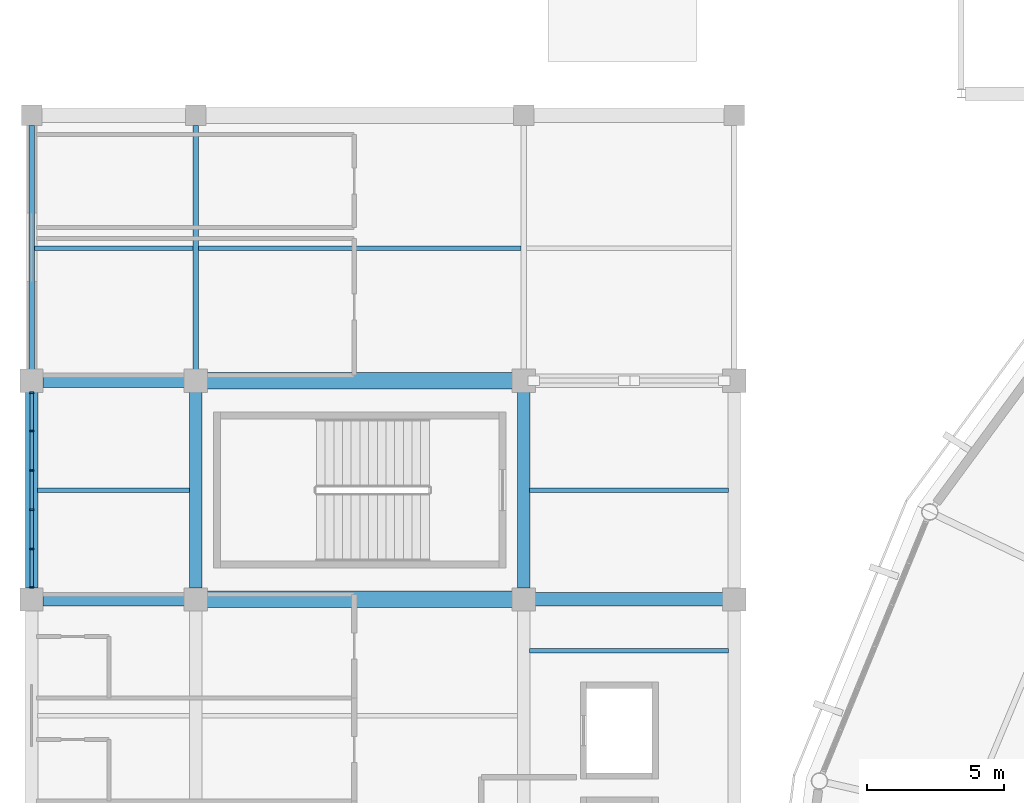
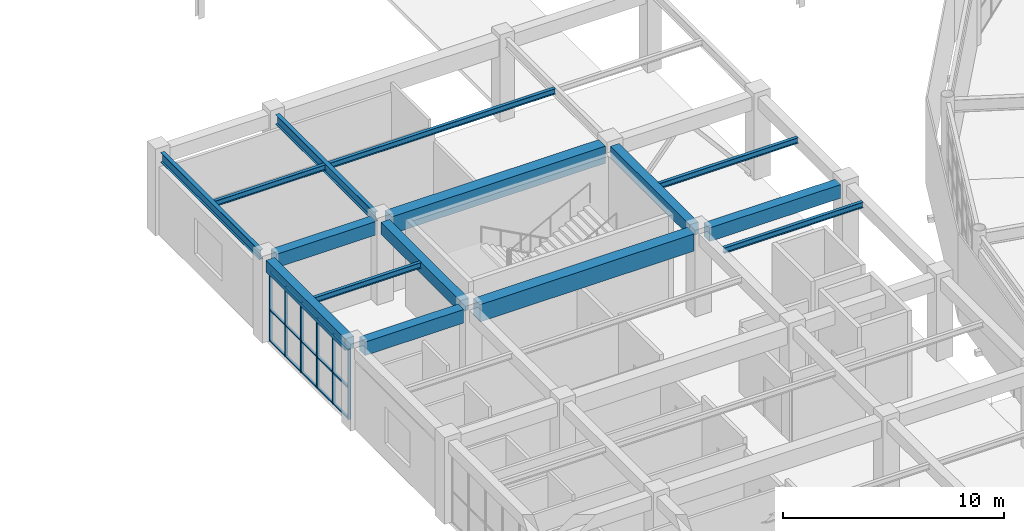
# One storey, part 43 of 122: 21 members, 15 beams, 1 element without a shape of its own.
"""IFC4 building model written with IfcOpenShell, lengths in metres."""

from ifc_helpers import new_model, si_unit, direction, frame, origin, origin_2d, place, context, subcontext, project, spatial, rectangle, i_section, extrude, material, material_profile, profile_set, type_object, element, aggregate, save


model = new_model("IFC4")

# Units and contexts
model_context = context("Model", 3, precision=1e-05, world=origin(), true_north=direction((0.0, 1.0)))
body_context = subcontext(model_context, "Body", "Model", "MODEL_VIEW")
ifc_project = project(units=[si_unit("LENGTHUNIT", "METRE"), si_unit("AREAUNIT", "SQUARE_METRE"), si_unit("VOLUMEUNIT", "CUBIC_METRE"), si_unit("PLANEANGLEUNIT", "RADIAN"), si_unit("MASSUNIT", "GRAM", prefix="KILO")], contexts=[model_context])

# Site, building, storey
site_placement = place(None, origin())
site = spatial("IfcSite", under=ifc_project, at=site_placement, CompositionType="ELEMENT")
building_placement = place(site_placement, origin())
building = spatial("IfcBuilding", under=site, at=building_placement, Name="Cuetzalor Civic Arena", CompositionType="ELEMENT")
storey_placement = place(building_placement, frame((0.0, 0.0, 16.199951171875)))
storey = spatial("IfcBuildingStorey", under=building, at=storey_placement, Name="L03", CompositionType="ELEMENT", Elevation=16.199951171875)

# Beams
ifc_material_1 = material(Name="Concrete C40/50", Category="concrete")
ifc_material_profile_1 = material_profile(ifc_material_1, rectangle(XDim=0.5, YDim=0.75, at=origin_2d()), Name="RC 500x750")
ifc_profile_set_1 = profile_set([ifc_material_profile_1], Name="Concrete C40/50")
beam_type_1 = type_object("IfcBeamType", Name="ConcreteFrameBeam_500x750", PredefinedType="BEAM", material=ifc_profile_set_1)
beam_1_placement = place(storey_placement, frame((-81.5849609375, 17.0, 4.14501953125), z_axis=(1.0, 0.0, 0.0), x_axis=(0.0, 1.0, 0.0)))
element("IfcBeam", 1, at=beam_1_placement, inside=storey, type_object=beam_type_1, Name="Frame Girder V4W-L03-X0907", PredefinedType="BEAM", context=body_context, shape_type="SweptSolid", body=[
    extrude(rectangle(XDim=0.5, YDim=0.75, at=origin_2d()), origin(), (0.0, 0.0, 1.0), 5.169921875),
])
beam_2_placement = place(storey_placement, frame((-63.5849609375, 17.0, 4.14501953125), z_axis=(1.0, 0.0, 0.0), x_axis=(0.0, 1.0, 0.0)))
element("IfcBeam", 2, at=beam_2_placement, inside=storey, type_object=beam_type_1, Name="Frame Girder V4W-L03-X0909", PredefinedType="BEAM", context=body_context, shape_type="SweptSolid", body=[
    extrude(rectangle(XDim=0.5, YDim=0.75, at=origin_2d()), origin(), (0.0, 0.0, 1.0), 6.869873046875),
])
beam_3_placement = place(storey_placement, frame((-81.5849609375, 25.0, 4.14501953125), z_axis=(1.0, 0.0, 0.0), x_axis=(0.0, 1.0, 0.0)))
element("IfcBeam", 3, at=beam_3_placement, inside=storey, type_object=beam_type_1, Name="Frame Girder V4W-L03-X0910", PredefinedType="BEAM", context=body_context, shape_type="SweptSolid", body=[
    extrude(rectangle(XDim=0.5, YDim=0.75, at=origin_2d()), origin(), (0.0, 0.0, 1.0), 5.169921875),
])
ifc_material_2 = material(Name="Concrete C40/50", Category="concrete")
ifc_material_profile_2 = material_profile(ifc_material_2, rectangle(XDim=0.60009765625, YDim=0.949951171875, at=origin_2d()), Name="RC 600x950")
ifc_profile_set_2 = profile_set([ifc_material_profile_2], Name="Concrete C40/50")
beam_type_2 = type_object("IfcBeamType", Name="ConcreteFrameBeam_600x950", PredefinedType="BEAM", material=ifc_profile_set_2)
for number, where, z_axis, x_axis, name in (
    (4, (-75.5849609375, 17.0, 4.045166015625), (1.0, 0.0, 0.0), (0.0, 1.0, 0.0), "Frame Girder V4W-L03-X0908"),
    (5, (-75.5849609375, 25.0, 4.045166015625), (1.0, 0.0, 0.0), (0.0, 1.0, 0.0), "Frame Girder V4W-L03-X0911"),
):
    element("IfcBeam", number, at=place(storey_placement, frame(where, z_axis=z_axis, x_axis=x_axis)), inside=storey, type_object=beam_type_2, Name=name, PredefinedType="BEAM", context=body_context, shape_type="SweptSolid", body=[
        extrude(rectangle(XDim=0.60009765625, YDim=0.949951171875, at=origin_2d()), origin(), (0.0, 0.0, 1.0), 11.169921875),
    ])
ifc_material_3 = material(Name="Concrete C40/50", Category="concrete")
ifc_material_profile_3 = material_profile(ifc_material_3, rectangle(XDim=0.449951171875, YDim=0.64990234375, at=origin_2d()), Name="RC 450x650")
ifc_profile_set_3 = profile_set([ifc_material_profile_3], Name="Concrete C40/50")
beam_type_3 = type_object("IfcBeamType", Name="ConcreteTieBeam_450x650", PredefinedType="BEAM", material=ifc_profile_set_3)
for number, where, z_axis, x_axis, name in (
    (6, (-82.0, 17.4150390625, 4.195068359375), (0.0, 1.0, 0.0), (-1.0, 0.0, 0.0), "Frame Girder V4W-L03-Y0924"),
    (7, (-76.0, 17.4150390625, 4.195068359375), (0.0, 1.0, 0.0), (-1.0, 0.0, 0.0), "Frame Girder V4W-L03-Y0934"),
    (8, (-64.0, 17.4150390625, 4.195068359375), (0.0, 1.0, 0.0), (-1.0, 0.0, 0.0), "Frame Girder V4W-L03-Y0944"),
):
    element("IfcBeam", number, at=place(storey_placement, frame(where, z_axis=z_axis, x_axis=x_axis)), inside=storey, type_object=beam_type_3, Name=name, PredefinedType="BEAM", context=body_context, shape_type="SweptSolid", body=[
        extrude(rectangle(XDim=0.449951171875, YDim=0.64990234375, at=origin_2d()), origin(), (0.0, 0.0, 1.0), 7.169921875),
    ])

# Curtain wall, members
ifc_material_4 = material(Name="Anodised dark bronze aluminium and low-E solar glass", Category="aluminium")
curtain_wall_type = type_object("IfcCurtainWallType", Name="UnitisedCW_7200x3850", PredefinedType="USERDEFINED", material=ifc_material_4)
curtain_wall_placement = place(storey_placement, origin())
curtain_wall = element("IfcCurtainWall", 9, at=curtain_wall_placement, inside=storey, type_object=curtain_wall_type, Name="V4W Suite Viewing Curtain Wall L03-122", ObjectType="UNITISED CURTAIN WALL", PredefinedType="USERDEFINED")
ifc_material_5 = material(Name="Anodised dark bronze aluminium", Category="aluminium")
ifc_material_profile_4 = material_profile(ifc_material_5, rectangle(XDim=0.06494140625, YDim=0.14990234375, at=origin_2d()), Name="ALU MULLION 65x150")
ifc_profile_set_4 = profile_set([ifc_material_profile_4], Name="Anodised dark bronze aluminium")
member_type_1 = type_object("IfcMemberType", Name="CurtainWallMullion_60x150", PredefinedType="MULLION", material=ifc_profile_set_4)
member_1_placement = place(storey_placement, frame((-82.0, 17.439453125, 0.0), z_axis=(0.0, 0.0, 1.0), x_axis=(0.0, 1.0, 0.0)))
member_1 = element("IfcMember", 10, at=member_1_placement, type_object=member_type_1, Name="CW-41 mullion 1", PredefinedType="MULLION", context=body_context, shape_type="SweptSolid", body=[
    extrude(rectangle(XDim=0.06494140625, YDim=0.14990234375, at=origin_2d()), origin(), (0.0, 0.0, 1.0), 3.860107421875),
])
member_2_placement = place(storey_placement, frame((-82.0, 18.84423828125, 0.0), z_axis=(0.0, 0.0, 1.0), x_axis=(0.0, 1.0, 0.0)))
member_2 = element("IfcMember", 11, at=member_2_placement, type_object=member_type_1, Name="CW-41 mullion 2", PredefinedType="MULLION", context=body_context, shape_type="SweptSolid", body=[
    extrude(rectangle(XDim=0.06494140625, YDim=0.14990234375, at=origin_2d()), origin(), (0.0, 0.0, 1.0), 3.860107421875),
])
member_3_placement = place(storey_placement, frame((-82.0, 20.281494140625, 0.0), z_axis=(0.0, 0.0, 1.0), x_axis=(0.0, 1.0, 0.0)))
member_3 = element("IfcMember", 12, at=member_3_placement, type_object=member_type_1, Name="CW-41 mullion 3", PredefinedType="MULLION", context=body_context, shape_type="SweptSolid", body=[
    extrude(rectangle(XDim=0.06494140625, YDim=0.14990234375, at=origin_2d()), origin(), (0.0, 0.0, 1.0), 3.860107421875),
])
member_4_placement = place(storey_placement, frame((-82.0, 21.718505859375, 0.0), z_axis=(0.0, 0.0, 1.0), x_axis=(0.0, 1.0, 0.0)))
member_4 = element("IfcMember", 13, at=member_4_placement, type_object=member_type_1, Name="CW-41 mullion 4", PredefinedType="MULLION", context=body_context, shape_type="SweptSolid", body=[
    extrude(rectangle(XDim=0.06494140625, YDim=0.14990234375, at=origin_2d()), origin(), (0.0, 0.0, 1.0), 3.860107421875),
])
member_5_placement = place(storey_placement, frame((-82.0, 23.15576171875, 0.0), z_axis=(0.0, 0.0, 1.0), x_axis=(0.0, 1.0, 0.0)))
member_5 = element("IfcMember", 14, at=member_5_placement, type_object=member_type_1, Name="CW-41 mullion 5", PredefinedType="MULLION", context=body_context, shape_type="SweptSolid", body=[
    extrude(rectangle(XDim=0.06494140625, YDim=0.14990234375, at=origin_2d()), origin(), (0.0, 0.0, 1.0), 3.860107421875),
])
member_6_placement = place(storey_placement, frame((-82.0, 24.560546875, 0.0), z_axis=(0.0, 0.0, 1.0), x_axis=(0.0, 1.0, 0.0)))
member_6 = element("IfcMember", 15, at=member_6_placement, type_object=member_type_1, Name="CW-41 mullion 6", PredefinedType="MULLION", context=body_context, shape_type="SweptSolid", body=[
    extrude(rectangle(XDim=0.06494140625, YDim=0.14990234375, at=origin_2d()), origin(), (0.0, 0.0, 1.0), 3.860107421875),
])
ifc_material_6 = material(Name="Anodised dark bronze aluminium", Category="aluminium")
ifc_material_profile_5 = material_profile(ifc_material_6, rectangle(XDim=0.1201171875, YDim=0.06494140625, at=origin_2d()), Name="ALU TRANSOM 65x120")
ifc_profile_set_5 = profile_set([ifc_material_profile_5], Name="Anodised dark bronze aluminium")
member_type_2 = type_object("IfcMemberType", Name="CurtainWallTransom_60x120", PredefinedType="USERDEFINED", material=ifc_profile_set_5)
member_7_placement = place(storey_placement, frame((-82.0, 17.471923828125, 0.032470703125), z_axis=(0.0, 1.0, 0.0), x_axis=(-1.0, 0.0, 0.0)))
member_7 = element("IfcMember", 16, at=member_7_placement, type_object=member_type_2, Name="CW-41 transom 1.1", ObjectType="TRANSOM", PredefinedType="USERDEFINED", context=body_context, shape_type="SweptSolid", body=[
    extrude(rectangle(XDim=0.1201171875, YDim=0.06494140625, at=origin_2d()), origin(), (0.0, 0.0, 1.0), 1.33984375),
])
member_8_placement = place(storey_placement, frame((-82.0, 17.471923828125, 1.737060546875), z_axis=(0.0, 1.0, 0.0), x_axis=(-1.0, 0.0, 0.0)))
member_8 = element("IfcMember", 17, at=member_8_placement, type_object=member_type_2, Name="CW-41 transom 1.2", ObjectType="TRANSOM", PredefinedType="USERDEFINED", context=body_context, shape_type="SweptSolid", body=[
    extrude(rectangle(XDim=0.1201171875, YDim=0.06494140625, at=origin_2d()), origin(), (0.0, 0.0, 1.0), 1.33984375),
])
member_9_placement = place(storey_placement, frame((-82.0, 17.471923828125, 3.82763671875), z_axis=(0.0, 1.0, 0.0), x_axis=(-1.0, 0.0, 0.0)))
member_9 = element("IfcMember", 18, at=member_9_placement, type_object=member_type_2, Name="CW-41 transom 1.3", ObjectType="TRANSOM", PredefinedType="USERDEFINED", context=body_context, shape_type="SweptSolid", body=[
    extrude(rectangle(XDim=0.1201171875, YDim=0.06494140625, at=origin_2d()), origin(), (0.0, 0.0, 1.0), 1.33984375),
])
member_10_placement = place(storey_placement, frame((-82.0, 18.876708984375, 0.032470703125), z_axis=(0.0, 1.0, 0.0), x_axis=(-1.0, 0.0, 0.0)))
member_10 = element("IfcMember", 19, at=member_10_placement, type_object=member_type_2, Name="CW-41 transom 2.1", ObjectType="TRANSOM", PredefinedType="USERDEFINED", context=body_context, shape_type="SweptSolid", body=[
    extrude(rectangle(XDim=0.1201171875, YDim=0.06494140625, at=origin_2d()), origin(), (0.0, 0.0, 1.0), 1.3720703125),
])
member_11_placement = place(storey_placement, frame((-82.0, 18.876708984375, 1.737060546875), z_axis=(0.0, 1.0, 0.0), x_axis=(-1.0, 0.0, 0.0)))
member_11 = element("IfcMember", 20, at=member_11_placement, type_object=member_type_2, Name="CW-41 transom 2.2", ObjectType="TRANSOM", PredefinedType="USERDEFINED", context=body_context, shape_type="SweptSolid", body=[
    extrude(rectangle(XDim=0.1201171875, YDim=0.06494140625, at=origin_2d()), origin(), (0.0, 0.0, 1.0), 1.3720703125),
])
member_12_placement = place(storey_placement, frame((-82.0, 18.876708984375, 3.82763671875), z_axis=(0.0, 1.0, 0.0), x_axis=(-1.0, 0.0, 0.0)))
member_12 = element("IfcMember", 21, at=member_12_placement, type_object=member_type_2, Name="CW-41 transom 2.3", ObjectType="TRANSOM", PredefinedType="USERDEFINED", context=body_context, shape_type="SweptSolid", body=[
    extrude(rectangle(XDim=0.1201171875, YDim=0.06494140625, at=origin_2d()), origin(), (0.0, 0.0, 1.0), 1.3720703125),
])
member_13_placement = place(storey_placement, frame((-82.0, 20.31396484375, 0.032470703125), z_axis=(0.0, 1.0, 0.0), x_axis=(-1.0, 0.0, 0.0)))
member_13 = element("IfcMember", 22, at=member_13_placement, type_object=member_type_2, Name="CW-41 transom 3.1", ObjectType="TRANSOM", PredefinedType="USERDEFINED", context=body_context, shape_type="SweptSolid", body=[
    extrude(rectangle(XDim=0.1201171875, YDim=0.06494140625, at=origin_2d()), origin(), (0.0, 0.0, 1.0), 1.3720703125),
])
member_14_placement = place(storey_placement, frame((-82.0, 20.31396484375, 1.737060546875), z_axis=(0.0, 1.0, 0.0), x_axis=(-1.0, 0.0, 0.0)))
member_14 = element("IfcMember", 23, at=member_14_placement, type_object=member_type_2, Name="CW-41 transom 3.2", ObjectType="TRANSOM", PredefinedType="USERDEFINED", context=body_context, shape_type="SweptSolid", body=[
    extrude(rectangle(XDim=0.1201171875, YDim=0.06494140625, at=origin_2d()), origin(), (0.0, 0.0, 1.0), 1.3720703125),
])
member_15_placement = place(storey_placement, frame((-82.0, 20.31396484375, 3.82763671875), z_axis=(0.0, 1.0, 0.0), x_axis=(-1.0, 0.0, 0.0)))
member_15 = element("IfcMember", 24, at=member_15_placement, type_object=member_type_2, Name="CW-41 transom 3.3", ObjectType="TRANSOM", PredefinedType="USERDEFINED", context=body_context, shape_type="SweptSolid", body=[
    extrude(rectangle(XDim=0.1201171875, YDim=0.06494140625, at=origin_2d()), origin(), (0.0, 0.0, 1.0), 1.3720703125),
])
member_16_placement = place(storey_placement, frame((-82.0, 21.751220703125, 0.032470703125), z_axis=(0.0, 1.0, 0.0), x_axis=(-1.0, 0.0, 0.0)))
member_16 = element("IfcMember", 25, at=member_16_placement, type_object=member_type_2, Name="CW-41 transom 4.1", ObjectType="TRANSOM", PredefinedType="USERDEFINED", context=body_context, shape_type="SweptSolid", body=[
    extrude(rectangle(XDim=0.1201171875, YDim=0.06494140625, at=origin_2d()), origin(), (0.0, 0.0, 1.0), 1.3720703125),
])
member_17_placement = place(storey_placement, frame((-82.0, 21.751220703125, 1.737060546875), z_axis=(0.0, 1.0, 0.0), x_axis=(-1.0, 0.0, 0.0)))
member_17 = element("IfcMember", 26, at=member_17_placement, type_object=member_type_2, Name="CW-41 transom 4.2", ObjectType="TRANSOM", PredefinedType="USERDEFINED", context=body_context, shape_type="SweptSolid", body=[
    extrude(rectangle(XDim=0.1201171875, YDim=0.06494140625, at=origin_2d()), origin(), (0.0, 0.0, 1.0), 1.3720703125),
])
member_18_placement = place(storey_placement, frame((-82.0, 21.751220703125, 3.82763671875), z_axis=(0.0, 1.0, 0.0), x_axis=(-1.0, 0.0, 0.0)))
member_18 = element("IfcMember", 27, at=member_18_placement, type_object=member_type_2, Name="CW-41 transom 4.3", ObjectType="TRANSOM", PredefinedType="USERDEFINED", context=body_context, shape_type="SweptSolid", body=[
    extrude(rectangle(XDim=0.1201171875, YDim=0.06494140625, at=origin_2d()), origin(), (0.0, 0.0, 1.0), 1.3720703125),
])
member_19_placement = place(storey_placement, frame((-82.0, 23.188232421875, 0.032470703125), z_axis=(0.0, 1.0, 0.0), x_axis=(-1.0, 0.0, 0.0)))
member_19 = element("IfcMember", 28, at=member_19_placement, type_object=member_type_2, Name="CW-41 transom 5.1", ObjectType="TRANSOM", PredefinedType="USERDEFINED", context=body_context, shape_type="SweptSolid", body=[
    extrude(rectangle(XDim=0.1201171875, YDim=0.06494140625, at=origin_2d()), origin(), (0.0, 0.0, 1.0), 1.33984375),
])
member_20_placement = place(storey_placement, frame((-82.0, 23.188232421875, 1.737060546875), z_axis=(0.0, 1.0, 0.0), x_axis=(-1.0, 0.0, 0.0)))
member_20 = element("IfcMember", 29, at=member_20_placement, type_object=member_type_2, Name="CW-41 transom 5.2", ObjectType="TRANSOM", PredefinedType="USERDEFINED", context=body_context, shape_type="SweptSolid", body=[
    extrude(rectangle(XDim=0.1201171875, YDim=0.06494140625, at=origin_2d()), origin(), (0.0, 0.0, 1.0), 1.33984375),
])
member_21_placement = place(storey_placement, frame((-82.0, 23.188232421875, 3.82763671875), z_axis=(0.0, 1.0, 0.0), x_axis=(-1.0, 0.0, 0.0)))
member_21 = element("IfcMember", 30, at=member_21_placement, type_object=member_type_2, Name="CW-41 transom 5.3", ObjectType="TRANSOM", PredefinedType="USERDEFINED", context=body_context, shape_type="SweptSolid", body=[
    extrude(rectangle(XDim=0.1201171875, YDim=0.06494140625, at=origin_2d()), origin(), (0.0, 0.0, 1.0), 1.33984375),
])
aggregate(curtain_wall, [member_1, member_2, member_3, member_4, member_5, member_6, member_7, member_8, member_9, member_10, member_11, member_12, member_13, member_14, member_15, member_16, member_17, member_18, member_19, member_20, member_21])

# Beams
ifc_material_7 = material(Name="Steel S355", Category="steel")
ifc_material_profile_6 = material_profile(ifc_material_7, i_section(OverallWidth=0.166015625, OverallDepth=0.31298828125, WebThickness=0.006591796875, FlangeThickness=0.01123046875, at=origin_2d()), Name="W310x45")
ifc_profile_set_6 = profile_set([ifc_material_profile_6], Name="Steel S355")
beam_type_4 = type_object("IfcBeamType", Name="SecondaryRoofJoist_W310", PredefinedType="JOIST", material=ifc_profile_set_6)
beam_4_placement = place(storey_placement, frame((-81.782958984375, 21.0, 4.363525390625), z_axis=(1.0, 0.0, 0.0), x_axis=(0.0, 1.0, 0.0)))
element("IfcBeam", 31, at=beam_4_placement, inside=storey, type_object=beam_type_4, Name="Secondary Floor Joist V4W-L03-0275", PredefinedType="JOIST", context=body_context, shape_type="SweptSolid", body=[
    extrude(i_section(OverallWidth=0.166015625, OverallDepth=0.31298828125, WebThickness=0.006591796875, FlangeThickness=0.01123046875, at=origin_2d()), origin(), (0.0, 0.0, 1.0), 5.56591796875),
])
beam_5_placement = place(storey_placement, frame((-81.903564453125, 29.85009765625, 4.363525390625), z_axis=(1.0, 0.0, 0.0), x_axis=(0.0, 1.0, 0.0)))
element("IfcBeam", 32, at=beam_5_placement, inside=storey, type_object=beam_type_4, Name="Secondary Floor Joist V4W-L03-0276", PredefinedType="JOIST", context=body_context, shape_type="SweptSolid", body=[
    extrude(i_section(OverallWidth=0.166015625, OverallDepth=0.31298828125, WebThickness=0.006591796875, FlangeThickness=0.01123046875, at=origin_2d()), origin(), (0.0, 0.0, 1.0), 5.80712890625),
])
beam_6_placement = place(storey_placement, frame((-75.903564453125, 29.85009765625, 4.363525390625), z_axis=(1.0, 0.0, 0.0), x_axis=(0.0, 1.0, 0.0)))
element("IfcBeam", 33, at=beam_6_placement, inside=storey, type_object=beam_type_4, Name="Secondary Floor Joist V4W-L03-0283", PredefinedType="JOIST", context=body_context, shape_type="SweptSolid", body=[
    extrude(i_section(OverallWidth=0.166015625, OverallDepth=0.31298828125, WebThickness=0.006591796875, FlangeThickness=0.01123046875, at=origin_2d()), origin(), (0.0, 0.0, 1.0), 11.80712890625),
])
for number, where, z_axis, x_axis, name in (
    (34, (-63.782958984375, 15.1298828125, 4.363525390625), (1.0, 0.0, 0.0), (0.0, 1.0, 0.0), "Secondary Floor Joist V4W-L03-0290"),
    (35, (-63.782958984375, 21.0, 4.363525390625), (1.0, 0.0, 0.0), (0.0, 1.0, 0.0), "Secondary Floor Joist V4W-L03-0291"),
):
    element("IfcBeam", number, at=place(storey_placement, frame(where, z_axis=z_axis, x_axis=x_axis)), inside=storey, type_object=beam_type_4, Name=name, PredefinedType="JOIST", context=body_context, shape_type="SweptSolid", body=[
        extrude(i_section(OverallWidth=0.166015625, OverallDepth=0.31298828125, WebThickness=0.006591796875, FlangeThickness=0.01123046875, at=origin_2d()), origin(), (0.0, 0.0, 1.0), 7.265869140625),
    ])
ifc_material_8 = material(Name="Steel S355", Category="steel")
ifc_material_profile_7 = material_profile(ifc_material_8, i_section(OverallWidth=0.208984375, OverallDepth=0.532958984375, WebThickness=0.01025390625, FlangeThickness=0.015625, at=origin_2d()), Name="W530x92")
ifc_profile_set_7 = profile_set([ifc_material_profile_7], Name="Steel S355")
beam_type_5 = type_object("IfcBeamType", Name="SteelCollarGirder_W530", PredefinedType="BEAM", material=ifc_profile_set_7)
for number, where, z_axis, x_axis, name in (
    (36, (-82.0, 25.4150390625, 4.253662109375), (0.0, 1.0, 0.0), (-1.0, 0.0, 0.0), "Frame Girder V4W-L03-Y0925"),
    (37, (-76.0, 25.4150390625, 4.253662109375), (0.0, 1.0, 0.0), (-1.0, 0.0, 0.0), "Frame Girder V4W-L03-Y0935"),
):
    element("IfcBeam", number, at=place(storey_placement, frame(where, z_axis=z_axis, x_axis=x_axis)), inside=storey, type_object=beam_type_5, Name=name, PredefinedType="BEAM", context=body_context, shape_type="SweptSolid", body=[
        extrude(i_section(OverallWidth=0.208984375, OverallDepth=0.532958984375, WebThickness=0.01025390625, FlangeThickness=0.015625, at=origin_2d()), origin(), (0.0, 0.0, 1.0), 8.919921875),
    ])

save(model, "model.ifc")
